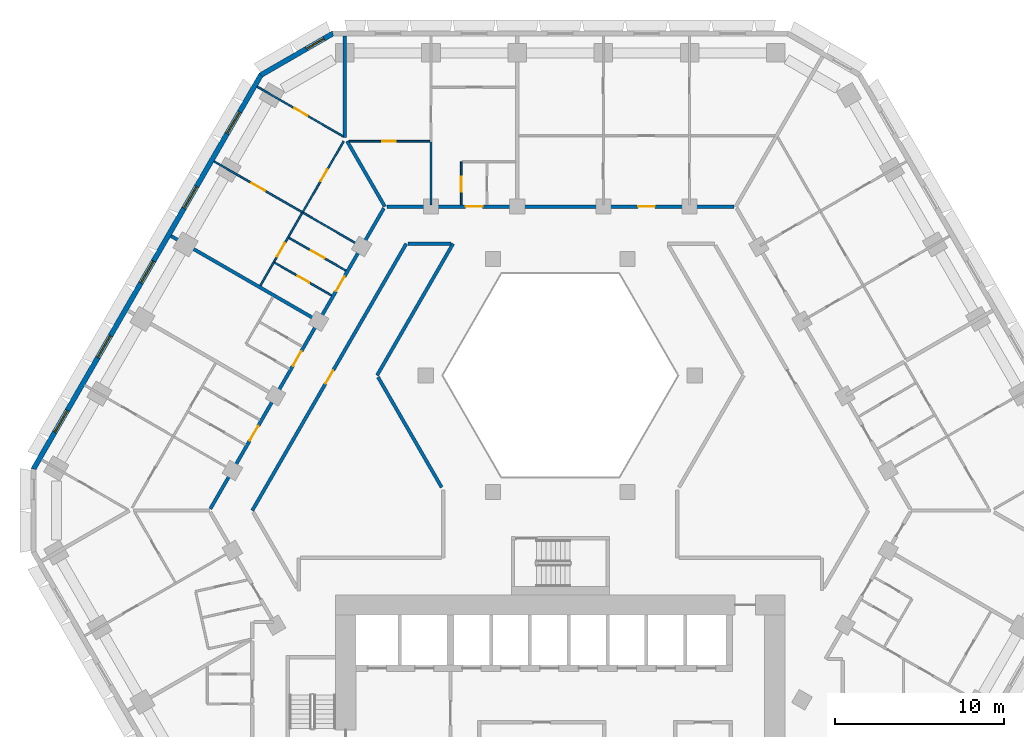
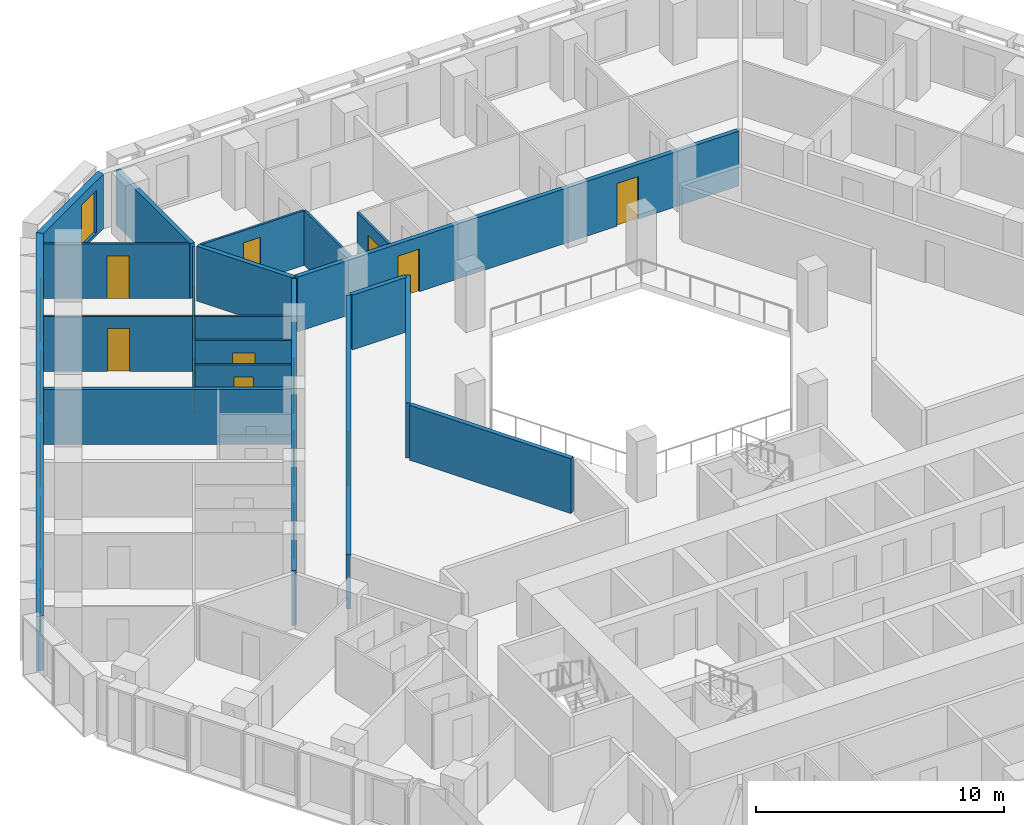
# One storey, part 8 of 16: 20 walls, 14 doors, 6 windows, 20 openings.
"""IFC4 building model written with IfcOpenShell, lengths in metres."""

from ifc_helpers import new_model, si_unit, direction, frame, frame_2d, origin, place, context, subcontext, project, spatial, polyline, rectangle, outline, extrude, material, layer, layer_set, type_object, element, fill, save


model = new_model("IFC4")

# Units and contexts
model_context = context("Model", 3, precision=1e-05, world=origin(), true_north=direction((0.0, 1.0)))
body_context = subcontext(model_context, "Body", "Model", "MODEL_VIEW")
ifc_project = project(units=[si_unit("LENGTHUNIT", "METRE"), si_unit("AREAUNIT", "SQUARE_METRE"), si_unit("VOLUMEUNIT", "CUBIC_METRE"), si_unit("PLANEANGLEUNIT", "RADIAN"), si_unit("MASSUNIT", "GRAM", prefix="KILO")], contexts=[model_context])

# Site, building, storey
site_placement = place(None, origin())
site = spatial("IfcSite", under=ifc_project, at=site_placement, CompositionType="ELEMENT")
building_placement = place(site_placement, origin())
building = spatial("IfcBuilding", under=site, at=building_placement, Name="Beryl Residences", CompositionType="ELEMENT")
storey_placement = place(building_placement, frame((0.0, 0.0, 50.39990234375)))
storey = spatial("IfcBuildingStorey", under=building, at=storey_placement, Name="L15", CompositionType="ELEMENT", Elevation=50.39990234375)

# Wall, opening, window
ifc_material_1 = material(Name="Composite metal panel with mineral wool insulation")
ifc_layer_1 = layer(ifc_material_1, 0.300048828125)
ifc_layer_set_1 = layer_set([ifc_layer_1], Name="ES1 pale metal composite panel wall 300 mm")
wall_type_1 = type_object("IfcWallType", Name="ES1 pale metal composite panel wall 300 mm", PredefinedType="SOLIDWALL", material=ifc_layer_set_1)
wall_1_placement = place(storey_placement, frame((-13.43505859375, 28.27001953125, 0.0), z_axis=(0.0, 0.0, 1.0), x_axis=(-0.866010750942, -0.50002537861, 0.0)))
wall_1 = element("IfcWall", 1, at=wall_1_placement, inside=storey, type_object=wall_type_1, Name="ES1 external wall L15 N-NW", PredefinedType="SOLIDWALL", context=body_context, shape_type="SweptSolid", body=[
    extrude(outline(polyline([(0.0, -0.14990234375), (4.999755859375, -0.14990234375), (4.91943359375, 0.14990234375), (0.080322265625, 0.14990234375), (0.0, -0.14990234375)])), origin(), (0.0, 0.0, 1.0), 2.7001953125),
])
opening_1_placement = place(wall_1_placement, frame((0.64990234375, 0.0, 0.14990234375)))
opening_1 = element("IfcOpeningElement", 2, at=opening_1_placement, cuts=wall_1, Name="Opening W2", PredefinedType="OPENING", context=body_context, shape_type="SweptSolid", body=[
    extrude(rectangle(XDim=1.199951171875, YDim=2.10009765625, at=frame_2d((0.60009765625, 1.050048828125))), frame((0.0, 0.159912109375, 0.0), z_axis=(0.0, -1.0, 0.0), x_axis=(1.0, 0.0, 0.0)), (0.0, 0.0, 1.0), 0.320068359375),
])
ifc_material_2 = material(Name="Aluminium and clear glass", Category="aluminium")
window_type_1 = type_object("IfcWindowType", Name="W2 chamfer window 1200 x 2100 mm", PartitioningType="SINGLE_PANEL", PredefinedType="WINDOW", material=ifc_material_2)
window_1_placement = place(opening_1_placement, origin())
window_1 = element("IfcWindow", 3, at=window_1_placement, inside=storey, type_object=window_type_1, Name="W2 window L15 N-NW 1", OverallHeight=2.10009765625, OverallWidth=1.199951171875, PartitioningType="SINGLE_PANEL", PredefinedType="WINDOW", context=body_context, shape_type="SweptSolid", body=[
    extrude(rectangle(XDim=1.199951171875, YDim=2.10009765625, at=frame_2d((0.60009765625, 1.050048828125))), frame((0.0, 0.030029296875, 0.0), z_axis=(0.0, -1.0, 0.0), x_axis=(1.0, 0.0, 0.0)), (0.0, 0.0, 1.0), 0.06005859375),
])
fill(opening_1, window_1)

# Wall, openings, windows
wall_2_placement = place(storey_placement, frame((-17.7099609375, 25.824951171875, 0.0), z_axis=(0.0, 0.0, 1.0), x_axis=(-0.500001938803, -0.866024284413, 0.0)))
wall_2 = element("IfcWall", 4, at=wall_2_placement, inside=storey, type_object=wall_type_1, Name="ES1 external wall L15 NW", PredefinedType="SOLIDWALL", context=body_context, shape_type="SweptSolid", body=[
    extrude(outline(polyline([(0.0, -0.14990234375), (27.02001953125, -0.14990234375), (26.939697265625, 0.14990234375), (0.080322265625, 0.14990234375), (0.0, -0.14990234375)])), origin(), (0.0, 0.0, 1.0), 2.7001953125),
])
opening_2_placement = place(wall_2_placement, frame((2.552978515625, 0.0, 0.14990234375)))
opening_2 = element("IfcOpeningElement", 5, at=opening_2_placement, cuts=wall_2, Name="Opening W1", PredefinedType="OPENING", context=body_context, shape_type="SweptSolid", body=[
    extrude(rectangle(XDim=1.5, YDim=2.10009765625, at=frame_2d((0.75, 1.050048828125))), frame((0.0, 0.159912109375, 0.0), z_axis=(0.0, -1.0, 0.0), x_axis=(1.0, 0.0, 0.0)), (0.0, 0.0, 1.0), 0.320068359375),
])
opening_3_placement = place(wall_2_placement, frame((7.657958984375, 0.0, 0.14990234375)))
opening_3 = element("IfcOpeningElement", 6, at=opening_3_placement, cuts=wall_2, Name="Opening W1", PredefinedType="OPENING", context=body_context, shape_type="SweptSolid", body=[
    extrude(rectangle(XDim=1.5, YDim=2.10009765625, at=frame_2d((0.75, 1.050048828125))), frame((0.0, 0.159912109375, 0.0), z_axis=(0.0, -1.0, 0.0), x_axis=(1.0, 0.0, 0.0)), (0.0, 0.0, 1.0), 0.320068359375),
])
opening_4_placement = place(wall_2_placement, frame((12.760986328125, 0.0, 0.14990234375)))
opening_4 = element("IfcOpeningElement", 7, at=opening_4_placement, cuts=wall_2, Name="Opening W1", PredefinedType="OPENING", context=body_context, shape_type="SweptSolid", body=[
    extrude(rectangle(XDim=1.5, YDim=2.10009765625, at=frame_2d((0.75, 1.050048828125))), frame((0.0, 0.159912109375, 0.0), z_axis=(0.0, -1.0, 0.0), x_axis=(1.0, 0.0, 0.0)), (0.0, 0.0, 1.0), 0.320068359375),
])
opening_5_placement = place(wall_2_placement, frame((17.864990234375, 0.0, 0.14990234375)))
opening_5 = element("IfcOpeningElement", 8, at=opening_5_placement, cuts=wall_2, Name="Opening W1", PredefinedType="OPENING", context=body_context, shape_type="SweptSolid", body=[
    extrude(rectangle(XDim=1.5, YDim=2.10009765625, at=frame_2d((0.75, 1.050048828125))), frame((0.0, 0.159912109375, 0.0), z_axis=(0.0, -1.0, 0.0), x_axis=(1.0, 0.0, 0.0)), (0.0, 0.0, 1.0), 0.320068359375),
])
opening_6_placement = place(wall_2_placement, frame((22.968994140625, 0.0, 0.14990234375)))
opening_6 = element("IfcOpeningElement", 9, at=opening_6_placement, cuts=wall_2, Name="Opening W1", PredefinedType="OPENING", context=body_context, shape_type="SweptSolid", body=[
    extrude(rectangle(XDim=1.5, YDim=2.10009765625, at=frame_2d((0.75, 1.050048828125))), frame((0.0, 0.159912109375, 0.0), z_axis=(0.0, -1.0, 0.0), x_axis=(1.0, 0.0, 0.0)), (0.0, 0.0, 1.0), 0.320068359375),
])
ifc_material_3 = material(Name="Aluminium and clear glass", Category="aluminium")
window_type_2 = type_object("IfcWindowType", Name="W1 cell window 1500 x 2100 mm", PartitioningType="SINGLE_PANEL", PredefinedType="WINDOW", material=ifc_material_3)
window_2_placement = place(opening_2_placement, origin())
window_2 = element("IfcWindow", 10, at=window_2_placement, inside=storey, type_object=window_type_2, Name="W1 window L15 NW 2", OverallHeight=2.10009765625, OverallWidth=1.5, PartitioningType="SINGLE_PANEL", PredefinedType="WINDOW", context=body_context, shape_type="SweptSolid", body=[
    extrude(rectangle(XDim=1.5, YDim=2.10009765625, at=frame_2d((0.75, 1.050048828125))), frame((0.0, 0.030029296875, 0.0), z_axis=(0.0, -1.0, 0.0), x_axis=(1.0, 0.0, 0.0)), (0.0, 0.0, 1.0), 0.06005859375),
])
fill(opening_2, window_2)
window_3_placement = place(opening_3_placement, origin())
window_3 = element("IfcWindow", 11, at=window_3_placement, inside=storey, type_object=window_type_2, Name="W1 window L15 NW 4", OverallHeight=2.10009765625, OverallWidth=1.5, PartitioningType="SINGLE_PANEL", PredefinedType="WINDOW", context=body_context, shape_type="SweptSolid", body=[
    extrude(rectangle(XDim=1.5, YDim=2.10009765625, at=frame_2d((0.75, 1.050048828125))), frame((0.0, 0.030029296875, 0.0), z_axis=(0.0, -1.0, 0.0), x_axis=(1.0, 0.0, 0.0)), (0.0, 0.0, 1.0), 0.06005859375),
])
fill(opening_3, window_3)
window_4_placement = place(opening_4_placement, origin())
window_4 = element("IfcWindow", 12, at=window_4_placement, inside=storey, type_object=window_type_2, Name="W1 window L15 NW 6", OverallHeight=2.10009765625, OverallWidth=1.5, PartitioningType="SINGLE_PANEL", PredefinedType="WINDOW", context=body_context, shape_type="SweptSolid", body=[
    extrude(rectangle(XDim=1.5, YDim=2.10009765625, at=frame_2d((0.75, 1.050048828125))), frame((0.0, 0.030029296875, 0.0), z_axis=(0.0, -1.0, 0.0), x_axis=(1.0, 0.0, 0.0)), (0.0, 0.0, 1.0), 0.06005859375),
])
fill(opening_4, window_4)
window_5_placement = place(opening_5_placement, origin())
window_5 = element("IfcWindow", 13, at=window_5_placement, inside=storey, type_object=window_type_2, Name="W1 window L15 NW 8", OverallHeight=2.10009765625, OverallWidth=1.5, PartitioningType="SINGLE_PANEL", PredefinedType="WINDOW", context=body_context, shape_type="SweptSolid", body=[
    extrude(rectangle(XDim=1.5, YDim=2.10009765625, at=frame_2d((0.75, 1.050048828125))), frame((0.0, 0.030029296875, 0.0), z_axis=(0.0, -1.0, 0.0), x_axis=(1.0, 0.0, 0.0)), (0.0, 0.0, 1.0), 0.06005859375),
])
fill(opening_5, window_5)
window_6_placement = place(opening_6_placement, origin())
window_6 = element("IfcWindow", 14, at=window_6_placement, inside=storey, type_object=window_type_2, Name="W1 window L15 NW 10", OverallHeight=2.10009765625, OverallWidth=1.5, PartitioningType="SINGLE_PANEL", PredefinedType="WINDOW", context=body_context, shape_type="SweptSolid", body=[
    extrude(rectangle(XDim=1.5, YDim=2.10009765625, at=frame_2d((0.75, 1.050048828125))), frame((0.0, 0.030029296875, 0.0), z_axis=(0.0, -1.0, 0.0), x_axis=(1.0, 0.0, 0.0)), (0.0, 0.0, 1.0), 0.06005859375),
])
fill(opening_6, window_6)

# Wall
ifc_material_4 = material(Name="Gypsum board partition on steel studs", Category="steel")
ifc_layer_2 = layer(ifc_material_4, 0.10009765625)
ifc_layer_set_2 = layer_set([ifc_layer_2], Name="PT1 partition 100 mm gypsum board on steel studs")
wall_type_2 = type_object("IfcWallType", Name="PT1 partition 100 mm gypsum board on steel studs", PredefinedType="PARTITIONING", material=ifc_layer_set_2)
wall_3_placement = place(storey_placement, frame((-7.656982421875, 21.843994140625, 0.0), z_axis=(0.0, 0.0, 1.0), x_axis=(0.0, -1.0, 0.0)))
element("IfcWall", 15, at=wall_3_placement, inside=storey, type_object=wall_type_2, Name="Wall PT1 L15 006", PredefinedType="PARTITIONING", context=body_context, shape_type="SweptSolid", body=[
    extrude(rectangle(XDim=3.743896484375, YDim=0.10009765625, at=frame_2d((1.8720703125, 0.0))), origin(), (0.0, 0.0, 1.0), 2.7001953125),
])

# Wall, opening, door
wall_4_placement = place(storey_placement, frame((-16.923095703125, 14.680908203125, 0.0), z_axis=(0.0, 0.0, 1.0), x_axis=(0.866087525071, -0.499892387336, 0.0)))
wall_4 = element("IfcWall", 16, at=wall_4_placement, inside=storey, type_object=wall_type_2, Name="Wall PT1 L15 017", PredefinedType="PARTITIONING", context=body_context, shape_type="SweptSolid", body=[
    extrude(rectangle(XDim=3.896728515625, YDim=0.10009765625, at=frame_2d((1.9482421875, 0.0))), origin(), (0.0, 0.0, 1.0), 2.7001953125),
])
opening_7_placement = place(wall_4_placement, frame((1.573974609375, 0.0, 0.0)))
opening_7 = element("IfcOpeningElement", 17, at=opening_7_placement, cuts=wall_4, Name="Opening D0571", PredefinedType="OPENING", context=body_context, shape_type="SweptSolid", body=[
    extrude(rectangle(XDim=0.800048828125, YDim=2.10009765625, at=frame_2d((0.39990234375, 1.050048828125))), frame((0.0, 0.06005859375, 0.0), z_axis=(0.0, -1.0, 0.0), x_axis=(1.0, 0.0, 0.0)), (0.0, 0.0, 1.0), 0.1201171875),
])
ifc_material_5 = material(Name="Timber door leaf", Category="wood")
door_type_1 = type_object("IfcDoorType", Name="D3 bathroom door 800 x 2100 mm", OperationType="SINGLE_SWING_LEFT", PredefinedType="DOOR", material=ifc_material_5)
door_1_placement = place(opening_7_placement, origin())
door_1 = element("IfcDoor", 18, at=door_1_placement, inside=storey, type_object=door_type_1, Name="Door D0571 L15 001", OperationType="SINGLE_SWING_LEFT", OverallHeight=2.10009765625, OverallWidth=0.800048828125, PredefinedType="DOOR", context=body_context, shape_type="SweptSolid", body=[
    extrude(rectangle(XDim=0.800048828125, YDim=2.10009765625, at=frame_2d((0.39990234375, 1.050048828125))), frame((0.0, 0.02490234375, 0.0), z_axis=(0.0, -1.0, 0.0), x_axis=(1.0, 0.0, 0.0)), (0.0, 0.0, 1.0), 0.050048828125),
])
fill(opening_7, door_1)

wall_5_placement = place(storey_placement, frame((-16.072998046875, 16.154052734375, 0.0), z_axis=(0.0, 0.0, 1.0), x_axis=(0.865979019114, -0.500080332001, 0.0)))
wall_5 = element("IfcWall", 19, at=wall_5_placement, inside=storey, type_object=wall_type_2, Name="Wall PT1 L15 020", PredefinedType="PARTITIONING", context=body_context, shape_type="SweptSolid", body=[
    extrude(rectangle(XDim=3.897216796875, YDim=0.10009765625, at=frame_2d((1.94873046875, 0.0))), origin(), (0.0, 0.0, 1.0), 2.7001953125),
])
opening_8_placement = place(wall_5_placement, frame((1.52392578125, 0.0, 0.0)))
opening_8 = element("IfcOpeningElement", 20, at=opening_8_placement, cuts=wall_5, Name="Opening D0572", PredefinedType="OPENING", context=body_context, shape_type="SweptSolid", body=[
    extrude(rectangle(XDim=0.89990234375, YDim=2.10009765625, at=frame_2d((0.449951171875, 1.050048828125))), frame((0.0, 0.06005859375, 0.0), z_axis=(0.0, -1.0, 0.0), x_axis=(1.0, 0.0, 0.0)), (0.0, 0.0, 1.0), 0.1201171875),
])
ifc_material_6 = material(Name="Timber door leaf", Category="wood")
door_type_2 = type_object("IfcDoorType", Name="D2 room door 900 x 2100 mm", OperationType="SINGLE_SWING_LEFT", PredefinedType="DOOR", material=ifc_material_6)
door_2_placement = place(opening_8_placement, origin())
door_2 = element("IfcDoor", 21, at=door_2_placement, inside=storey, type_object=door_type_2, Name="Door D0572 L15 001", OperationType="SINGLE_SWING_RIGHT", OverallHeight=2.10009765625, OverallWidth=0.89990234375, PredefinedType="DOOR", context=body_context, shape_type="SweptSolid", body=[
    extrude(rectangle(XDim=0.89990234375, YDim=2.10009765625, at=frame_2d((0.449951171875, 1.050048828125))), frame((0.0, 0.02490234375, 0.0), z_axis=(0.0, -1.0, 0.0), x_axis=(1.0, 0.0, 0.0)), (0.0, 0.0, 1.0), 0.050048828125),
])
fill(opening_8, door_2)

wall_6_placement = place(storey_placement, frame((-20.508056640625, 20.678955078125, 0.0), z_axis=(0.0, 0.0, 1.0), x_axis=(0.866047370643, -0.499961950354, 0.0)))
wall_6 = element("IfcWall", 22, at=wall_6_placement, inside=storey, type_object=wall_type_2, Name="Wall PT1 L15 022", PredefinedType="PARTITIONING", context=body_context, shape_type="SweptSolid", body=[
    extrude(rectangle(XDim=10.000732421875, YDim=0.10009765625, at=frame_2d((5.00048828125, 0.0))), origin(), (0.0, 0.0, 1.0), 2.7001953125),
])
opening_9_placement = place(wall_6_placement, frame((2.575927734375, 0.0, 0.0)))
opening_9 = element("IfcOpeningElement", 23, at=opening_9_placement, cuts=wall_6, Name="Opening D0574", PredefinedType="OPENING", context=body_context, shape_type="SweptSolid", body=[
    extrude(rectangle(XDim=0.89990234375, YDim=2.10009765625, at=frame_2d((0.449951171875, 1.050048828125))), frame((0.0, 0.06005859375, 0.0), z_axis=(0.0, -1.0, 0.0), x_axis=(1.0, 0.0, 0.0)), (0.0, 0.0, 1.0), 0.1201171875),
])
door_3_placement = place(opening_9_placement, origin())
door_3 = element("IfcDoor", 24, at=door_3_placement, inside=storey, type_object=door_type_2, Name="Door D0574 L15 001", OperationType="SINGLE_SWING_RIGHT", OverallHeight=2.10009765625, OverallWidth=0.89990234375, PredefinedType="DOOR", context=body_context, shape_type="SweptSolid", body=[
    extrude(rectangle(XDim=0.89990234375, YDim=2.10009765625, at=frame_2d((0.449951171875, 1.050048828125))), frame((0.0, 0.02490234375, 0.0), z_axis=(0.0, -1.0, 0.0), x_axis=(1.0, 0.0, 0.0)), (0.0, 0.0, 1.0), 0.050048828125),
])
fill(opening_9, door_3)

wall_7_placement = place(storey_placement, frame((-17.955078125, 25.09912109375, 0.0), z_axis=(0.0, 0.0, 1.0), x_axis=(0.866036353684, -0.499981033738, 0.0)))
wall_7 = element("IfcWall", 25, at=wall_7_placement, inside=storey, type_object=wall_type_2, Name="Wall PT1 L15 023", PredefinedType="PARTITIONING", context=body_context, shape_type="SweptSolid", body=[
    extrude(rectangle(XDim=5.884521484375, YDim=0.10009765625, at=frame_2d((2.9423828125, 0.0))), origin(), (0.0, 0.0, 1.0), 2.7001953125),
])
opening_10_placement = place(wall_7_placement, frame((2.550048828125, 0.0, 0.0)))
opening_10 = element("IfcOpeningElement", 26, at=opening_10_placement, cuts=wall_7, Name="Opening D0575", PredefinedType="OPENING", context=body_context, shape_type="SweptSolid", body=[
    extrude(rectangle(XDim=0.89990234375, YDim=2.10009765625, at=frame_2d((0.449951171875, 1.050048828125))), frame((0.0, 0.06005859375, 0.0), z_axis=(0.0, -1.0, 0.0), x_axis=(1.0, 0.0, 0.0)), (0.0, 0.0, 1.0), 0.1201171875),
])
door_4_placement = place(opening_10_placement, origin())
door_4 = element("IfcDoor", 27, at=door_4_placement, inside=storey, type_object=door_type_2, Name="Door D0575 L15 001", OperationType="SINGLE_SWING_LEFT", OverallHeight=2.10009765625, OverallWidth=0.89990234375, PredefinedType="DOOR", context=body_context, shape_type="SweptSolid", body=[
    extrude(rectangle(XDim=0.89990234375, YDim=2.10009765625, at=frame_2d((0.449951171875, 1.050048828125))), frame((0.0, 0.02490234375, 0.0), z_axis=(0.0, -1.0, 0.0), x_axis=(1.0, 0.0, 0.0)), (0.0, 0.0, 1.0), 0.050048828125),
])
fill(opening_10, door_4)

wall_8_placement = place(storey_placement, frame((-12.512939453125, 21.8740234375, 0.0), z_axis=(0.0, 0.0, 1.0), x_axis=(1.0, 0.0, 0.0)))
wall_8 = element("IfcWall", 28, at=wall_8_placement, inside=storey, type_object=wall_type_2, Name="Wall PT1 L15 033", PredefinedType="PARTITIONING", context=body_context, shape_type="SweptSolid", body=[
    extrude(rectangle(XDim=4.805908203125, YDim=0.10009765625, at=frame_2d((2.40283203125, 0.0))), origin(), (0.0, 0.0, 1.0), 2.7001953125),
])
opening_11_placement = place(wall_8_placement, frame((1.969970703125, 0.0, 0.0)))
opening_11 = element("IfcOpeningElement", 29, at=opening_11_placement, cuts=wall_8, Name="Opening D0569", PredefinedType="OPENING", context=body_context, shape_type="SweptSolid", body=[
    extrude(rectangle(XDim=0.800048828125, YDim=2.10009765625, at=frame_2d((0.39990234375, 1.050048828125))), frame((0.0, 0.06005859375, 0.0), z_axis=(0.0, -1.0, 0.0), x_axis=(1.0, 0.0, 0.0)), (0.0, 0.0, 1.0), 0.1201171875),
])
door_5_placement = place(opening_11_placement, origin())
door_5 = element("IfcDoor", 30, at=door_5_placement, inside=storey, type_object=door_type_1, Name="Door D0569 L15 001", OperationType="SINGLE_SWING_LEFT", OverallHeight=2.10009765625, OverallWidth=0.800048828125, PredefinedType="DOOR", context=body_context, shape_type="SweptSolid", body=[
    extrude(rectangle(XDim=0.800048828125, YDim=2.10009765625, at=frame_2d((0.39990234375, 1.050048828125))), frame((0.0, 0.02490234375, 0.0), z_axis=(0.0, -1.0, 0.0), x_axis=(1.0, 0.0, 0.0)), (0.0, 0.0, 1.0), 0.050048828125),
])
fill(opening_11, door_5)

wall_9_placement = place(storey_placement, frame((-17.76806640625, 13.319091796875, 0.0), z_axis=(0.0, 0.0, 1.0), x_axis=(0.499958946799, 0.866049104564, 0.0)))
wall_9 = element("IfcWall", 31, at=wall_9_placement, inside=storey, type_object=wall_type_2, Name="Wall PT1 L15 040", PredefinedType="PARTITIONING", context=body_context, shape_type="SweptSolid", body=[
    extrude(rectangle(XDim=5.00439453125, YDim=0.10009765625, at=frame_2d((2.502197265625, 0.0))), origin(), (0.0, 0.0, 1.0), 2.7001953125),
])
opening_12_placement = place(wall_9_placement, frame((2.001953125, 0.0, 0.0)))
opening_12 = element("IfcOpeningElement", 32, at=opening_12_placement, cuts=wall_9, Name="Opening D0573", PredefinedType="OPENING", context=body_context, shape_type="SweptSolid", body=[
    extrude(rectangle(XDim=0.89990234375, YDim=2.10009765625, at=frame_2d((0.449951171875, 1.050048828125))), frame((0.0, 0.06005859375, 0.0), z_axis=(0.0, -1.0, 0.0), x_axis=(1.0, 0.0, 0.0)), (0.0, 0.0, 1.0), 0.1201171875),
])
door_6_placement = place(opening_12_placement, origin())
door_6 = element("IfcDoor", 33, at=door_6_placement, inside=storey, type_object=door_type_2, Name="Door D0573 L15 001", OperationType="SINGLE_SWING_LEFT", OverallHeight=2.10009765625, OverallWidth=0.89990234375, PredefinedType="DOOR", context=body_context, shape_type="SweptSolid", body=[
    extrude(rectangle(XDim=0.89990234375, YDim=2.10009765625, at=frame_2d((0.449951171875, 1.050048828125))), frame((0.0, 0.02490234375, 0.0), z_axis=(0.0, -1.0, 0.0), x_axis=(1.0, 0.0, 0.0)), (0.0, 0.0, 1.0), 0.050048828125),
])
fill(opening_12, door_6)

wall_10_placement = place(storey_placement, frame((-5.87109375, 18.10009765625, 0.0), z_axis=(0.0, 0.0, 1.0), x_axis=(0.0, 1.0, 0.0)))
wall_10 = element("IfcWall", 34, at=wall_10_placement, inside=storey, type_object=wall_type_2, Name="Wall PT1 L15 051", PredefinedType="PARTITIONING", context=body_context, shape_type="SweptSolid", body=[
    extrude(rectangle(XDim=2.558837890625, YDim=0.10009765625, at=frame_2d((1.279296875, 0.0))), origin(), (0.0, 0.0, 1.0), 2.7001953125),
])
opening_13_placement = place(wall_10_placement, frame((0.780029296875, 0.0, 0.0)))
opening_13 = element("IfcOpeningElement", 35, at=opening_13_placement, cuts=wall_10, Name="Opening D0565", PredefinedType="OPENING", context=body_context, shape_type="SweptSolid", body=[
    extrude(rectangle(XDim=0.89990234375, YDim=2.10009765625, at=frame_2d((0.449951171875, 1.050048828125))), frame((0.0, 0.06005859375, 0.0), z_axis=(0.0, -1.0, 0.0), x_axis=(1.0, 0.0, 0.0)), (0.0, 0.0, 1.0), 0.1201171875),
])
door_7_placement = place(opening_13_placement, origin())
door_7 = element("IfcDoor", 36, at=door_7_placement, inside=storey, type_object=door_type_2, Name="Door D0565 L15 001", OperationType="SINGLE_SWING_LEFT", OverallHeight=2.10009765625, OverallWidth=0.89990234375, PredefinedType="DOOR", context=body_context, shape_type="SweptSolid", body=[
    extrude(rectangle(XDim=0.89990234375, YDim=2.10009765625, at=frame_2d((0.449951171875, 1.050048828125))), frame((0.0, 0.02490234375, 0.0), z_axis=(0.0, -1.0, 0.0), x_axis=(1.0, 0.0, 0.0)), (0.0, 0.0, 1.0), 0.050048828125),
])
fill(opening_13, door_7)

wall_11_placement = place(storey_placement, frame((-15.26611328125, 17.653076171875, 0.0), z_axis=(0.0, 0.0, 1.0), x_axis=(0.500007182864, 0.866021256716, 0.0)))
wall_11 = element("IfcWall", 37, at=wall_11_placement, inside=storey, type_object=wall_type_2, Name="Wall PT1 L15 073", PredefinedType="PARTITIONING", context=body_context, shape_type="SweptSolid", body=[
    extrude(rectangle(XDim=4.8740234375, YDim=0.10009765625, at=frame_2d((2.43701171875, 0.0))), origin(), (0.0, 0.0, 1.0), 2.7001953125),
])
opening_14_placement = place(wall_11_placement, frame((2.136962890625, 0.0, 0.0)))
opening_14 = element("IfcOpeningElement", 38, at=opening_14_placement, cuts=wall_11, Name="Opening D0576", PredefinedType="OPENING", context=body_context, shape_type="SweptSolid", body=[
    extrude(rectangle(XDim=0.800048828125, YDim=2.10009765625, at=frame_2d((0.39990234375, 1.050048828125))), frame((0.0, 0.06005859375, 0.0), z_axis=(0.0, -1.0, 0.0), x_axis=(1.0, 0.0, 0.0)), (0.0, 0.0, 1.0), 0.1201171875),
])
door_8_placement = place(opening_14_placement, origin())
door_8 = element("IfcDoor", 39, at=door_8_placement, inside=storey, type_object=door_type_1, Name="Door D0576 L15 001", OperationType="SINGLE_SWING_RIGHT", OverallHeight=2.10009765625, OverallWidth=0.800048828125, PredefinedType="DOOR", context=body_context, shape_type="SweptSolid", body=[
    extrude(rectangle(XDim=0.800048828125, YDim=2.10009765625, at=frame_2d((0.39990234375, 1.050048828125))), frame((0.0, 0.02490234375, 0.0), z_axis=(0.0, -1.0, 0.0), x_axis=(1.0, 0.0, 0.0)), (0.0, 0.0, 1.0), 0.050048828125),
])
fill(opening_14, door_8)

# Walls
ifc_material_7 = material(Name="Acoustic double stud gypsum board wall")
ifc_layer_3 = layer(ifc_material_7, 0.199951171875)
ifc_layer_set_3 = layer_set([ifc_layer_3], Name="PT3 party wall 200 mm acoustic double stud")
wall_type_3 = type_object("IfcWallType", Name="PT3 party wall 200 mm acoustic double stud", PredefinedType="PARTITIONING", material=ifc_layer_set_3)
wall_12_placement = place(storey_placement, frame((-12.62890625, 21.8740234375, 0.0), z_axis=(0.0, 0.0, 1.0), x_axis=(0.500024801635, -0.86601108408, 0.0)))
element("IfcWall", 40, at=wall_12_placement, inside=storey, type_object=wall_type_3, Name="Wall PT3 L15 001", PredefinedType="PARTITIONING", context=body_context, shape_type="SweptSolid", body=[
    extrude(rectangle(XDim=4.473388671875, YDim=0.199951171875, at=frame_2d((2.23681640625, 0.0))), origin(), (0.0, 0.0, 1.0), 2.7001953125),
])
wall_13_placement = place(storey_placement, frame((-23.06005859375, 16.259033203125, 0.0), z_axis=(0.0, 0.0, 1.0), x_axis=(0.866047370643, -0.499961950354, 0.0)))
element("IfcWall", 41, at=wall_13_placement, inside=storey, type_object=wall_type_3, Name="Wall PT3 L15 008", PredefinedType="PARTITIONING", context=body_context, shape_type="SweptSolid", body=[
    extrude(rectangle(XDim=10.000732421875, YDim=0.199951171875, at=frame_2d((5.00048828125, 0.0))), origin(), (0.0, 0.0, 1.0), 2.7001953125),
])
wall_14_placement = place(storey_placement, frame((-12.760986328125, 22.10302734375, 0.0), z_axis=(0.0, 0.0, 1.0), x_axis=(0.0, 1.0, 0.0)))
element("IfcWall", 42, at=wall_14_placement, inside=storey, type_object=wall_type_3, Name="Wall PT3 L15 014", PredefinedType="PARTITIONING", context=body_context, shape_type="SweptSolid", body=[
    extrude(rectangle(XDim=5.9970703125, YDim=0.199951171875, at=frame_2d((2.99853515625, 0.0))), origin(), (0.0, 0.0, 1.0), 2.7001953125),
])
ifc_material_8 = material(Name="Double stud gypsum board wall")
ifc_layer_4 = layer(ifc_material_8, 0.199951171875)
ifc_layer_set_4 = layer_set([ifc_layer_4], Name="PT4 corridor wall 200 mm double stud")
wall_type_4 = type_object("IfcWallType", Name="PT4 corridor wall 200 mm double stud", PredefinedType="PARTITIONING", material=ifc_layer_set_4)
wall_15_placement = place(storey_placement, frame((-10.7958984375, 7.89990234375, 0.0), z_axis=(0.0, 0.0, 1.0), x_axis=(0.499954271211, -0.866051803703, 0.0)))
element("IfcWall", 43, at=wall_15_placement, inside=storey, type_object=wall_type_4, Name="Wall PT4 L15 001", PredefinedType="PARTITIONING", context=body_context, shape_type="SweptSolid", body=[
    extrude(rectangle(XDim=7.536376953125, YDim=0.199951171875, at=frame_2d((3.76806640625, 0.0))), origin(), (0.0, 0.0, 1.0), 2.7001953125),
])
wall_16_placement = place(storey_placement, frame((-9.006103515625, 15.800048828125, 0.0), z_axis=(0.0, 0.0, 1.0), x_axis=(1.0, 0.0, 0.0)))
element("IfcWall", 44, at=wall_16_placement, inside=storey, type_object=wall_type_4, Name="Wall PT4 L15 017", PredefinedType="PARTITIONING", context=body_context, shape_type="SweptSolid", body=[
    extrude(rectangle(XDim=2.5400390625, YDim=0.199951171875, at=frame_2d((1.27001953125, 0.0))), origin(), (0.0, 0.0, 1.0), 2.7001953125),
])

# Wall, openings, doors
wall_17_placement = place(storey_placement, frame((-10.27587890625, 18.0, 0.0), z_axis=(0.0, 0.0, 1.0), x_axis=(1.0, 0.0, 0.0)))
wall_17 = element("IfcWall", 45, at=wall_17_placement, inside=storey, type_object=wall_type_4, Name="Wall PT4 L15 019", PredefinedType="PARTITIONING", context=body_context, shape_type="SweptSolid", body=[
    extrude(rectangle(XDim=20.552978515625, YDim=0.199951171875, at=frame_2d((10.2763671875, 0.0))), origin(), (0.0, 0.0, 1.0), 2.7001953125),
])
opening_15_placement = place(wall_17_placement, frame((14.87890625, 0.0, 0.0)))
opening_15 = element("IfcOpeningElement", 46, at=opening_15_placement, cuts=wall_17, Name="Opening D0558", PredefinedType="OPENING", context=body_context, shape_type="SweptSolid", body=[
    extrude(rectangle(XDim=1.0, YDim=2.10009765625, at=frame_2d((0.5, 1.050048828125))), frame((0.0, 0.10986328125, 0.0), z_axis=(0.0, -1.0, 0.0), x_axis=(1.0, 0.0, 0.0)), (0.0, 0.0, 1.0), 0.219970703125),
])
opening_16_placement = place(wall_17_placement, frame((4.6708984375, 0.0, 0.0)))
opening_16 = element("IfcOpeningElement", 47, at=opening_16_placement, cuts=wall_17, Name="Opening D0564", PredefinedType="OPENING", context=body_context, shape_type="SweptSolid", body=[
    extrude(rectangle(XDim=1.0, YDim=2.10009765625, at=frame_2d((0.5, 1.050048828125))), frame((0.0, 0.10986328125, 0.0), z_axis=(0.0, -1.0, 0.0), x_axis=(1.0, 0.0, 0.0)), (0.0, 0.0, 1.0), 0.219970703125),
])
ifc_material_9 = material(Name="Timber door leaf", Category="wood")
door_type_3 = type_object("IfcDoorType", Name="D1 flat entrance door 1000 x 2100 mm", OperationType="SINGLE_SWING_LEFT", PredefinedType="DOOR", material=ifc_material_9)
door_9_placement = place(opening_15_placement, origin())
door_9 = element("IfcDoor", 48, at=door_9_placement, inside=storey, type_object=door_type_3, Name="Door D0558 L15 001", OperationType="SINGLE_SWING_RIGHT", OverallHeight=2.10009765625, OverallWidth=1.0, PredefinedType="DOOR", context=body_context, shape_type="SweptSolid", body=[
    extrude(rectangle(XDim=1.0, YDim=2.10009765625, at=frame_2d((0.5, 1.050048828125))), frame((0.0, 0.02490234375, 0.0), z_axis=(0.0, -1.0, 0.0), x_axis=(1.0, 0.0, 0.0)), (0.0, 0.0, 1.0), 0.050048828125),
])
fill(opening_15, door_9)
door_10_placement = place(opening_16_placement, origin())
door_10 = element("IfcDoor", 49, at=door_10_placement, inside=storey, type_object=door_type_3, Name="Door D0564 L15 001", OperationType="SINGLE_SWING_RIGHT", OverallHeight=2.10009765625, OverallWidth=1.0, PredefinedType="DOOR", context=body_context, shape_type="SweptSolid", body=[
    extrude(rectangle(XDim=1.0, YDim=2.10009765625, at=frame_2d((0.5, 1.050048828125))), frame((0.0, 0.02490234375, 0.0), z_axis=(0.0, -1.0, 0.0), x_axis=(1.0, 0.0, 0.0)), (0.0, 0.0, 1.0), 0.050048828125),
])
fill(opening_16, door_10)

# Wall
wall_18_placement = place(storey_placement, frame((-10.85400390625, 8.0, 0.0), z_axis=(0.0, 0.0, 1.0), x_axis=(0.499964141897, 0.86604610548, 0.0)))
element("IfcWall", 50, at=wall_18_placement, inside=storey, type_object=wall_type_4, Name="Wall PT4 L15 023", PredefinedType="PARTITIONING", context=body_context, shape_type="SweptSolid", body=[
    extrude(rectangle(XDim=9.006591796875, YDim=0.199951171875, at=frame_2d((4.50341796875, 0.0))), origin(), (0.0, 0.0, 1.0), 2.7001953125),
])

# Wall, opening, door
wall_19_placement = place(storey_placement, frame((-18.243896484375, -0.0009765625, 0.0), z_axis=(0.0, 0.0, 1.0), x_axis=(0.499962999376, 0.866046765051, 0.0)))
wall_19 = element("IfcWall", 51, at=wall_19_placement, inside=storey, type_object=wall_type_4, Name="Wall PT4 L15 024", PredefinedType="PARTITIONING", context=body_context, shape_type="SweptSolid", body=[
    extrude(rectangle(XDim=18.2451171875, YDim=0.199951171875, at=frame_2d((9.12255859375, 0.0))), origin(), (0.0, 0.0, 1.0), 2.7001953125),
])
opening_17_placement = place(wall_19_placement, frame((8.672119140625, 0.0, 0.0)))
opening_17 = element("IfcOpeningElement", 52, at=opening_17_placement, cuts=wall_19, Name="Opening D0577", PredefinedType="OPENING", context=body_context, shape_type="SweptSolid", body=[
    extrude(rectangle(XDim=0.89990234375, YDim=2.10009765625, at=frame_2d((0.449951171875, 1.050048828125))), frame((0.0, 0.10986328125, 0.0), z_axis=(0.0, -1.0, 0.0), x_axis=(1.0, 0.0, 0.0)), (0.0, 0.0, 1.0), 0.219970703125),
])
door_11_placement = place(opening_17_placement, origin())
door_11 = element("IfcDoor", 53, at=door_11_placement, inside=storey, type_object=door_type_2, Name="Door D0577 L15 001", OperationType="SINGLE_SWING_LEFT", OverallHeight=2.10009765625, OverallWidth=0.89990234375, PredefinedType="DOOR", context=body_context, shape_type="SweptSolid", body=[
    extrude(rectangle(XDim=0.89990234375, YDim=2.10009765625, at=frame_2d((0.449951171875, 1.050048828125))), frame((0.0, 0.02490234375, 0.0), z_axis=(0.0, -1.0, 0.0), x_axis=(1.0, 0.0, 0.0)), (0.0, 0.0, 1.0), 0.050048828125),
])
fill(opening_17, door_11)

# Wall, openings, doors
wall_20_placement = place(storey_placement, frame((-20.72705078125, 0.09912109375, 0.0), z_axis=(0.0, 0.0, 1.0), x_axis=(0.499993204491, 0.866029327138, 0.0)))
wall_20 = element("IfcWall", 54, at=wall_20_placement, inside=storey, type_object=wall_type_4, Name="Wall PT4 L15 025", PredefinedType="PARTITIONING", context=body_context, shape_type="SweptSolid", body=[
    extrude(rectangle(XDim=20.554443359375, YDim=0.199951171875, at=frame_2d((10.27734375, 0.0))), origin(), (0.0, 0.0, 1.0), 2.7001953125),
])
opening_18_placement = place(wall_20_placement, frame((9.77587890625, 0.0, 0.0)))
opening_18 = element("IfcOpeningElement", 55, at=opening_18_placement, cuts=wall_20, Name="Opening D0501", PredefinedType="OPENING", context=body_context, shape_type="SweptSolid", body=[
    extrude(rectangle(XDim=1.0, YDim=2.10009765625, at=frame_2d((0.5, 1.050048828125))), frame((0.0, 0.10986328125, 0.0), z_axis=(0.0, -1.0, 0.0), x_axis=(1.0, 0.0, 0.0)), (0.0, 0.0, 1.0), 0.219970703125),
])
opening_19_placement = place(wall_20_placement, frame((4.673095703125, 0.0, 0.0)))
opening_19 = element("IfcOpeningElement", 56, at=opening_19_placement, cuts=wall_20, Name="Opening D0504", PredefinedType="OPENING", context=body_context, shape_type="SweptSolid", body=[
    extrude(rectangle(XDim=1.0, YDim=2.10009765625, at=frame_2d((0.5, 1.050048828125))), frame((0.0, 0.10986328125, 0.0), z_axis=(0.0, -1.0, 0.0), x_axis=(1.0, 0.0, 0.0)), (0.0, 0.0, 1.0), 0.219970703125),
])
opening_20_placement = place(wall_20_placement, frame((14.8798828125, 0.0, 0.0)))
opening_20 = element("IfcOpeningElement", 57, at=opening_20_placement, cuts=wall_20, Name="Opening D0570", PredefinedType="OPENING", context=body_context, shape_type="SweptSolid", body=[
    extrude(rectangle(XDim=1.0, YDim=2.10009765625, at=frame_2d((0.5, 1.050048828125))), frame((0.0, 0.10986328125, 0.0), z_axis=(0.0, -1.0, 0.0), x_axis=(1.0, 0.0, 0.0)), (0.0, 0.0, 1.0), 0.219970703125),
])
door_12_placement = place(opening_18_placement, origin())
door_12 = element("IfcDoor", 58, at=door_12_placement, inside=storey, type_object=door_type_3, Name="Door D0501 L15 001", OperationType="SINGLE_SWING_LEFT", OverallHeight=2.10009765625, OverallWidth=1.0, PredefinedType="DOOR", context=body_context, shape_type="SweptSolid", body=[
    extrude(rectangle(XDim=1.0, YDim=2.10009765625, at=frame_2d((0.5, 1.050048828125))), frame((0.0, 0.02490234375, 0.0), z_axis=(0.0, -1.0, 0.0), x_axis=(1.0, 0.0, 0.0)), (0.0, 0.0, 1.0), 0.050048828125),
])
fill(opening_18, door_12)
door_13_placement = place(opening_19_placement, origin())
door_13 = element("IfcDoor", 59, at=door_13_placement, inside=storey, type_object=door_type_3, Name="Door D0504 L15 001", OperationType="SINGLE_SWING_RIGHT", OverallHeight=2.10009765625, OverallWidth=1.0, PredefinedType="DOOR", context=body_context, shape_type="SweptSolid", body=[
    extrude(rectangle(XDim=1.0, YDim=2.10009765625, at=frame_2d((0.5, 1.050048828125))), frame((0.0, 0.02490234375, 0.0), z_axis=(0.0, -1.0, 0.0), x_axis=(1.0, 0.0, 0.0)), (0.0, 0.0, 1.0), 0.050048828125),
])
fill(opening_19, door_13)
door_14_placement = place(opening_20_placement, origin())
door_14 = element("IfcDoor", 60, at=door_14_placement, inside=storey, type_object=door_type_3, Name="Door D0570 L15 001", OperationType="SINGLE_SWING_RIGHT", OverallHeight=2.10009765625, OverallWidth=1.0, PredefinedType="DOOR", context=body_context, shape_type="SweptSolid", body=[
    extrude(rectangle(XDim=1.0, YDim=2.10009765625, at=frame_2d((0.5, 1.050048828125))), frame((0.0, 0.02490234375, 0.0), z_axis=(0.0, -1.0, 0.0), x_axis=(1.0, 0.0, 0.0)), (0.0, 0.0, 1.0), 0.050048828125),
])
fill(opening_20, door_14)

save(model, "model.ifc")
